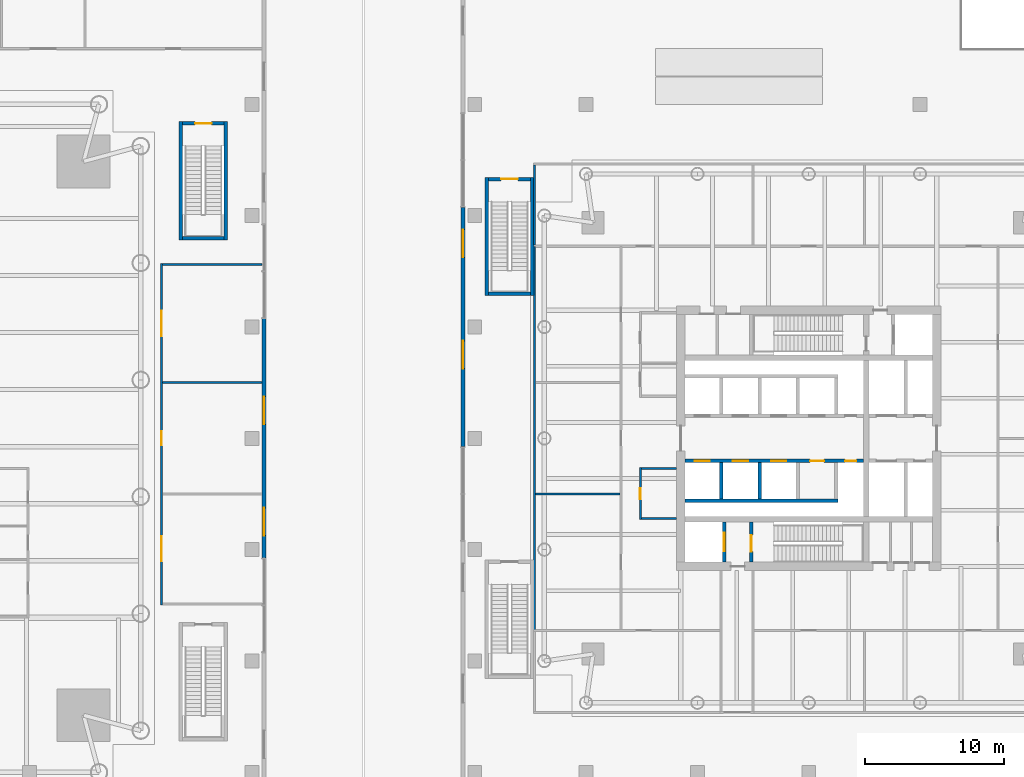
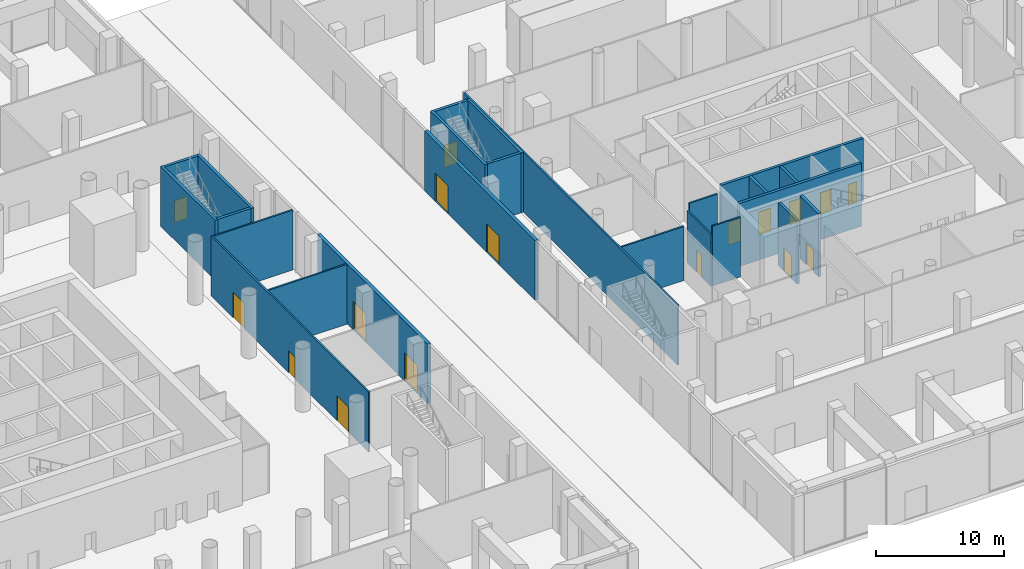
# One storey, part 29 of 39: 25 walls, 17 doors, 17 openings.
"""IFC4 building model written with IfcOpenShell, lengths in metres."""

from ifc_helpers import new_model, si_unit, direction, frame, frame_2d, origin, place, context, subcontext, project, spatial, rectangle, extrude, material, layer, layer_set, type_object, element, fill, save


model = new_model("IFC4")

# Units and contexts
model_context = context("Model", 3, precision=1e-05, world=origin(), true_north=direction((0.0, 1.0)))
body_context = subcontext(model_context, "Body", "Model", "MODEL_VIEW")
ifc_project = project(units=[si_unit("LENGTHUNIT", "METRE"), si_unit("AREAUNIT", "SQUARE_METRE"), si_unit("VOLUMEUNIT", "CUBIC_METRE"), si_unit("PLANEANGLEUNIT", "RADIAN"), si_unit("MASSUNIT", "GRAM", prefix="KILO")], contexts=[model_context])

# Site, building, storey
site_placement = place(None, origin())
site = spatial("IfcSite", under=ifc_project, at=site_placement, CompositionType="ELEMENT")
building_placement = place(site_placement, origin())
building = spatial("IfcBuilding", under=site, at=building_placement, Name="Ostroluk Exchange", CompositionType="ELEMENT")
storey_placement = place(building_placement, origin())
storey = spatial("IfcBuildingStorey", under=building, at=storey_placement, Name="L00", CompositionType="ELEMENT", Elevation=0.0)

# Walls
ifc_material_1 = material(Name="Concrete blockwork", Category="masonry")
ifc_layer_1 = layer(ifc_material_1, 0.25)
ifc_layer_set_1 = layer_set([ifc_layer_1], Name="Blockwork stair enclosure wall 250")
wall_type_1 = type_object("IfcWallType", Name="Blockwork stair enclosure wall 250", PredefinedType="SOLIDWALL", material=ifc_layer_set_1)
for number, where, z_axis, x_axis, name in (
    (1, (71.875, 60.25, 0.0), (0.0, 0.0, 1.0), (0.0, 1.0, 0.0), "Stair PS4 enclosure wall"),
    (2, (75.125, 60.25, 0.0), (0.0, 0.0, 1.0), (0.0, 1.0, 0.0), "Stair PS4 enclosure wall"),
):
    element("IfcWall", number, at=place(storey_placement, frame(where, z_axis=z_axis, x_axis=x_axis)), inside=storey, type_object=wall_type_1, Name=name, PredefinedType="SOLIDWALL", context=body_context, shape_type="SweptSolid", body=[
        extrude(rectangle(XDim=8.5, YDim=0.25, at=frame_2d((4.25, 0.0))), origin(), (0.0, 0.0, 1.0), 5.699951171875),
    ])
wall_1_placement = place(storey_placement, frame((72.0, 60.375, 0.0), z_axis=(0.0, 0.0, 1.0), x_axis=(1.0, 0.0, 0.0)))
element("IfcWall", 3, at=wall_1_placement, inside=storey, type_object=wall_type_1, Name="Stair PS4 enclosure wall", PredefinedType="SOLIDWALL", context=body_context, shape_type="SweptSolid", body=[
    extrude(rectangle(XDim=3.0, YDim=0.25, at=frame_2d((1.5, 0.0))), origin(), (0.0, 0.0, 1.0), 5.699951171875),
])

# Wall, opening, door
wall_2_placement = place(storey_placement, frame((72.0, 68.625, 0.0), z_axis=(0.0, 0.0, 1.0), x_axis=(1.0, 0.0, 0.0)))
wall_2 = element("IfcWall", 4, at=wall_2_placement, inside=storey, type_object=wall_type_1, Name="Stair PS4 enclosure wall", PredefinedType="SOLIDWALL", context=body_context, shape_type="SweptSolid", body=[
    extrude(rectangle(XDim=3.0, YDim=0.25, at=frame_2d((1.5, 0.0))), origin(), (0.0, 0.0, 1.0), 5.699951171875),
])
opening_1_placement = place(wall_2_placement, frame((0.89990234375, 0.0, 0.0)))
opening_1 = element("IfcOpeningElement", 5, at=opening_1_placement, cuts=wall_2, Name="Opening FD60S", PredefinedType="OPENING", context=body_context, shape_type="SweptSolid", body=[
    extrude(rectangle(XDim=1.199951171875, YDim=2.10009765625, at=frame_2d((0.60009765625, 1.050048828125))), frame((0.0, 0.135009765625, 0.0), z_axis=(0.0, -1.0, 0.0), x_axis=(1.0, 0.0, 0.0)), (0.0, 0.0, 1.0), 0.27001953125),
])
ifc_material_2 = material(Name="Steel", Category="steel")
door_type_1 = type_object("IfcDoorType", Name="Stair door EI 60 1200 x 2100", OperationType="SINGLE_SWING_LEFT", PredefinedType="DOOR", material=ifc_material_2)
door_1_placement = place(opening_1_placement, origin())
door_1 = element("IfcDoor", 6, at=door_1_placement, inside=storey, type_object=door_type_1, Name="Stair PS4 door", OperationType="SINGLE_SWING_LEFT", OverallHeight=2.10009765625, OverallWidth=1.199951171875, PredefinedType="DOOR", context=body_context, shape_type="SweptSolid", body=[
    extrude(rectangle(XDim=1.199951171875, YDim=2.10009765625, at=frame_2d((0.60009765625, 1.050048828125))), frame((0.0, 0.02490234375, 0.0), z_axis=(0.0, -1.0, 0.0), x_axis=(1.0, 0.0, 0.0)), (0.0, 0.0, 1.0), 0.050048828125),
])
fill(opening_1, door_1)

# Walls
for number, where, z_axis, x_axis, name in (
    (7, (93.875, 56.25, 0.0), (0.0, 0.0, 1.0), (0.0, 1.0, 0.0), "Stair PS6 enclosure wall"),
    (8, (97.125, 56.25, 0.0), (0.0, 0.0, 1.0), (0.0, 1.0, 0.0), "Stair PS6 enclosure wall"),
):
    element("IfcWall", number, at=place(storey_placement, frame(where, z_axis=z_axis, x_axis=x_axis)), inside=storey, type_object=wall_type_1, Name=name, PredefinedType="SOLIDWALL", context=body_context, shape_type="SweptSolid", body=[
        extrude(rectangle(XDim=8.5, YDim=0.25, at=frame_2d((4.25, 0.0))), origin(), (0.0, 0.0, 1.0), 5.699951171875),
    ])
wall_3_placement = place(storey_placement, frame((94.0, 56.375, 0.0), z_axis=(0.0, 0.0, 1.0), x_axis=(1.0, 0.0, 0.0)))
element("IfcWall", 9, at=wall_3_placement, inside=storey, type_object=wall_type_1, Name="Stair PS6 enclosure wall", PredefinedType="SOLIDWALL", context=body_context, shape_type="SweptSolid", body=[
    extrude(rectangle(XDim=3.0, YDim=0.25, at=frame_2d((1.5, 0.0))), origin(), (0.0, 0.0, 1.0), 5.699951171875),
])

# Wall, opening, door
wall_4_placement = place(storey_placement, frame((94.0, 64.625, 0.0), z_axis=(0.0, 0.0, 1.0), x_axis=(1.0, 0.0, 0.0)))
wall_4 = element("IfcWall", 10, at=wall_4_placement, inside=storey, type_object=wall_type_1, Name="Stair PS6 enclosure wall", PredefinedType="SOLIDWALL", context=body_context, shape_type="SweptSolid", body=[
    extrude(rectangle(XDim=3.0, YDim=0.25, at=frame_2d((1.5, 0.0))), origin(), (0.0, 0.0, 1.0), 5.699951171875),
])
opening_2_placement = place(wall_4_placement, frame((0.89990234375, 0.0, 0.0)))
opening_2 = element("IfcOpeningElement", 11, at=opening_2_placement, cuts=wall_4, Name="Opening FD60S", PredefinedType="OPENING", context=body_context, shape_type="SweptSolid", body=[
    extrude(rectangle(XDim=1.199951171875, YDim=2.10009765625, at=frame_2d((0.60009765625, 1.050048828125))), frame((0.0, 0.135009765625, 0.0), z_axis=(0.0, -1.0, 0.0), x_axis=(1.0, 0.0, 0.0)), (0.0, 0.0, 1.0), 0.27001953125),
])
door_2_placement = place(opening_2_placement, origin())
door_2 = element("IfcDoor", 12, at=door_2_placement, inside=storey, type_object=door_type_1, Name="Stair PS6 door", OperationType="SINGLE_SWING_LEFT", OverallHeight=2.10009765625, OverallWidth=1.199951171875, PredefinedType="DOOR", context=body_context, shape_type="SweptSolid", body=[
    extrude(rectangle(XDim=1.199951171875, YDim=2.10009765625, at=frame_2d((0.60009765625, 1.050048828125))), frame((0.0, 0.02490234375, 0.0), z_axis=(0.0, -1.0, 0.0), x_axis=(1.0, 0.0, 0.0)), (0.0, 0.0, 1.0), 0.050048828125),
])
fill(opening_2, door_2)

ifc_material_3 = material(Name="Concrete C40/50", Category="concrete")
ifc_layer_2 = layer(ifc_material_3, 0.25)
ifc_layer_set_2 = layer_set([ifc_layer_2], Name="Core shaft wall 250")
wall_type_2 = type_object("IfcWallType", Name="Core shaft wall 250", PredefinedType="SHEAR", material=ifc_layer_set_2)
wall_5_placement = place(storey_placement, frame((110.925048828125, 37.10009765625, 0.0), z_axis=(0.0, 0.0, 1.0), x_axis=(0.0, 1.0, 0.0)))
wall_5 = element("IfcWall", 13, at=wall_5_placement, inside=storey, type_object=wall_type_2, Name="Firefighting lift shaft wall", PredefinedType="SHEAR", context=body_context, shape_type="SweptSolid", body=[
    extrude(rectangle(XDim=2.89990234375, YDim=0.25, at=frame_2d((1.449951171875, 0.0))), origin(), (0.0, 0.0, 1.0), 6.0),
])
opening_3_placement = place(wall_5_placement, frame((0.800048828125, 0.0, 0.0)))
opening_3 = element("IfcOpeningElement", 14, at=opening_3_placement, cuts=wall_5, Name="Opening LD2", PredefinedType="OPENING", context=body_context, shape_type="SweptSolid", body=[
    extrude(rectangle(XDim=1.300048828125, YDim=2.199951171875, at=frame_2d((0.64990234375, 1.10009765625))), frame((0.0, 0.135009765625, 0.0), z_axis=(0.0, -1.0, 0.0), x_axis=(1.0, 0.0, 0.0)), (0.0, 0.0, 1.0), 0.27001953125),
])
ifc_material_4 = material(Name="Stainless steel", Category="steel")
door_type_2 = type_object("IfcDoorType", Name="Lift landing door E 60 1300 x 2200", OperationType="DOUBLE_DOOR_SLIDING", PredefinedType="DOOR", material=ifc_material_4)
door_3_placement = place(opening_3_placement, origin())
door_3 = element("IfcDoor", 15, at=door_3_placement, inside=storey, type_object=door_type_2, Name="Lift HF1 landing door", OperationType="DOUBLE_DOOR_SLIDING", OverallHeight=2.199951171875, OverallWidth=1.300048828125, PredefinedType="DOOR", context=body_context, shape_type="SweptSolid", body=[
    extrude(rectangle(XDim=1.300048828125, YDim=2.199951171875, at=frame_2d((0.64990234375, 1.10009765625))), frame((0.0, 0.02490234375, 0.0), z_axis=(0.0, -1.0, 0.0), x_axis=(1.0, 0.0, 0.0)), (0.0, 0.0, 1.0), 0.050048828125),
])
fill(opening_3, door_3)

wall_6_placement = place(storey_placement, frame((112.875, 37.10009765625, 0.0), z_axis=(0.0, 0.0, 1.0), x_axis=(0.0, 1.0, 0.0)))
wall_6 = element("IfcWall", 16, at=wall_6_placement, inside=storey, type_object=wall_type_2, Name="Stair shaft wall", PredefinedType="SHEAR", context=body_context, shape_type="SweptSolid", body=[
    extrude(rectangle(XDim=2.89990234375, YDim=0.25, at=frame_2d((1.449951171875, 0.0))), origin(), (0.0, 0.0, 1.0), 6.0),
])
opening_4_placement = place(wall_6_placement, frame((0.75, 0.0, 0.0)))
opening_4 = element("IfcOpeningElement", 17, at=opening_4_placement, cuts=wall_6, Name="Opening FD60S", PredefinedType="OPENING", context=body_context, shape_type="SweptSolid", body=[
    extrude(rectangle(XDim=1.199951171875, YDim=2.10009765625, at=frame_2d((0.60009765625, 1.050048828125))), frame((0.0, 0.135009765625, 0.0), z_axis=(0.0, -1.0, 0.0), x_axis=(1.0, 0.0, 0.0)), (0.0, 0.0, 1.0), 0.27001953125),
])
door_4_placement = place(opening_4_placement, origin())
door_4 = element("IfcDoor", 18, at=door_4_placement, inside=storey, type_object=door_type_1, Name="Stair T2-S1 door", OperationType="SINGLE_SWING_LEFT", OverallHeight=2.10009765625, OverallWidth=1.199951171875, PredefinedType="DOOR", context=body_context, shape_type="SweptSolid", body=[
    extrude(rectangle(XDim=1.199951171875, YDim=2.10009765625, at=frame_2d((0.60009765625, 1.050048828125))), frame((0.0, 0.02490234375, 0.0), z_axis=(0.0, -1.0, 0.0), x_axis=(1.0, 0.0, 0.0)), (0.0, 0.0, 1.0), 0.050048828125),
])
fill(opening_4, door_4)

# Walls
for number, where, z_axis, x_axis, name in (
    (19, (110.72509765625, 44.25, 0.0), (0.0, 0.0, 1.0), (0.0, -1.0, 0.0), "Lift shaft wall"),
    (20, (113.47509765625, 44.25, 0.0), (0.0, 0.0, 1.0), (0.0, -1.0, 0.0), "Lift shaft wall"),
):
    element("IfcWall", number, at=place(storey_placement, frame(where, z_axis=z_axis, x_axis=x_axis)), inside=storey, type_object=wall_type_2, Name=name, PredefinedType="SHEAR", context=body_context, shape_type="SweptSolid", body=[
        extrude(rectangle(XDim=2.60009765625, YDim=0.25, at=frame_2d((1.300048828125, 0.0))), origin(), (0.0, 0.0, 1.0), 6.0),
    ])
wall_7_placement = place(storey_placement, frame((108.10009765625, 41.52490234375, 0.0), z_axis=(0.0, 0.0, 1.0), x_axis=(1.0, 0.0, 0.0)))
element("IfcWall", 21, at=wall_7_placement, inside=storey, type_object=wall_type_2, Name="Lift shaft wall", PredefinedType="SHEAR", context=body_context, shape_type="SweptSolid", body=[
    extrude(rectangle(XDim=11.0, YDim=0.25, at=frame_2d((5.5, 0.0))), origin(), (0.0, 0.0, 1.0), 6.0),
])

# Wall, openings, doors
wall_8_placement = place(storey_placement, frame((108.10009765625, 44.375, 0.0), z_axis=(0.0, 0.0, 1.0), x_axis=(1.0, 0.0, 0.0)))
wall_8 = element("IfcWall", 22, at=wall_8_placement, inside=storey, type_object=wall_type_2, Name="Lift shaft front wall", PredefinedType="SHEAR", context=body_context, shape_type="SweptSolid", body=[
    extrude(rectangle(XDim=12.829833984375, YDim=0.25, at=frame_2d((6.4150390625, 0.0))), origin(), (0.0, 0.0, 1.0), 6.0),
])
opening_5_placement = place(wall_8_placement, frame((0.699951171875, 0.0, 0.0)))
opening_5 = element("IfcOpeningElement", 23, at=opening_5_placement, cuts=wall_8, Name="Opening LD", PredefinedType="OPENING", context=body_context, shape_type="SweptSolid", body=[
    extrude(rectangle(XDim=1.10009765625, YDim=2.199951171875, at=frame_2d((0.550048828125, 1.10009765625))), frame((0.0, 0.135009765625, 0.0), z_axis=(0.0, -1.0, 0.0), x_axis=(1.0, 0.0, 0.0)), (0.0, 0.0, 1.0), 0.27001953125),
])
opening_6_placement = place(wall_8_placement, frame((3.449951171875, 0.0, 0.0)))
opening_6 = element("IfcOpeningElement", 24, at=opening_6_placement, cuts=wall_8, Name="Opening LD", PredefinedType="OPENING", context=body_context, shape_type="SweptSolid", body=[
    extrude(rectangle(XDim=1.10009765625, YDim=2.199951171875, at=frame_2d((0.550048828125, 1.10009765625))), frame((0.0, 0.135009765625, 0.0), z_axis=(0.0, -1.0, 0.0), x_axis=(1.0, 0.0, 0.0)), (0.0, 0.0, 1.0), 0.27001953125),
])
opening_7_placement = place(wall_8_placement, frame((6.199951171875, 0.0, 0.0)))
opening_7 = element("IfcOpeningElement", 25, at=opening_7_placement, cuts=wall_8, Name="Opening LD", PredefinedType="OPENING", context=body_context, shape_type="SweptSolid", body=[
    extrude(rectangle(XDim=1.10009765625, YDim=2.199951171875, at=frame_2d((0.550048828125, 1.10009765625))), frame((0.0, 0.135009765625, 0.0), z_axis=(0.0, -1.0, 0.0), x_axis=(1.0, 0.0, 0.0)), (0.0, 0.0, 1.0), 0.27001953125),
])
opening_8_placement = place(wall_8_placement, frame((9.0, 0.0, 0.0)))
opening_8 = element("IfcOpeningElement", 26, at=opening_8_placement, cuts=wall_8, Name="Opening FD60", PredefinedType="OPENING", context=body_context, shape_type="SweptSolid", body=[
    extrude(rectangle(XDim=1.0, YDim=2.10009765625, at=frame_2d((0.5, 1.050048828125))), frame((0.0, 0.135009765625, 0.0), z_axis=(0.0, -1.0, 0.0), x_axis=(1.0, 0.0, 0.0)), (0.0, 0.0, 1.0), 0.27001953125),
])
opening_9_placement = place(wall_8_placement, frame((11.514892578125, 0.0, 0.0)))
opening_9 = element("IfcOpeningElement", 27, at=opening_9_placement, cuts=wall_8, Name="Opening RD60", PredefinedType="OPENING", context=body_context, shape_type="SweptSolid", body=[
    extrude(rectangle(XDim=0.800048828125, YDim=2.0, at=frame_2d((0.39990234375, 1.0))), frame((0.0, 0.135009765625, 0.0), z_axis=(0.0, -1.0, 0.0), x_axis=(1.0, 0.0, 0.0)), (0.0, 0.0, 1.0), 0.27001953125),
])
ifc_material_5 = material(Name="Steel", Category="steel")
door_type_3 = type_object("IfcDoorType", Name="Fire door EI 60 1000 x 2100", OperationType="SINGLE_SWING_LEFT", PredefinedType="DOOR", material=ifc_material_5)
door_5_placement = place(opening_8_placement, origin())
door_5 = element("IfcDoor", 28, at=door_5_placement, inside=storey, type_object=door_type_3, Name="Core room door", OperationType="SINGLE_SWING_RIGHT", OverallHeight=2.10009765625, OverallWidth=1.0, PredefinedType="DOOR", context=body_context, shape_type="SweptSolid", body=[
    extrude(rectangle(XDim=1.0, YDim=2.10009765625, at=frame_2d((0.5, 1.050048828125))), frame((0.0, 0.02490234375, 0.0), z_axis=(0.0, -1.0, 0.0), x_axis=(1.0, 0.0, 0.0)), (0.0, 0.0, 1.0), 0.050048828125),
])
fill(opening_8, door_5)
ifc_material_6 = material(Name="Stainless steel", Category="steel")
door_type_4 = type_object("IfcDoorType", Name="Lift landing door E 60 1100 x 2200", OperationType="DOUBLE_DOOR_SLIDING", PredefinedType="DOOR", material=ifc_material_6)
door_6_placement = place(opening_5_placement, origin())
door_6 = element("IfcDoor", 29, at=door_6_placement, inside=storey, type_object=door_type_4, Name="Lift HL5 landing door", OperationType="DOUBLE_DOOR_SLIDING", OverallHeight=2.199951171875, OverallWidth=1.10009765625, PredefinedType="DOOR", context=body_context, shape_type="SweptSolid", body=[
    extrude(rectangle(XDim=1.10009765625, YDim=2.199951171875, at=frame_2d((0.550048828125, 1.10009765625))), frame((0.0, 0.02490234375, 0.0), z_axis=(0.0, -1.0, 0.0), x_axis=(1.0, 0.0, 0.0)), (0.0, 0.0, 1.0), 0.050048828125),
])
fill(opening_5, door_6)
door_7_placement = place(opening_6_placement, origin())
door_7 = element("IfcDoor", 30, at=door_7_placement, inside=storey, type_object=door_type_4, Name="Lift HL6 landing door", OperationType="DOUBLE_DOOR_SLIDING", OverallHeight=2.199951171875, OverallWidth=1.10009765625, PredefinedType="DOOR", context=body_context, shape_type="SweptSolid", body=[
    extrude(rectangle(XDim=1.10009765625, YDim=2.199951171875, at=frame_2d((0.550048828125, 1.10009765625))), frame((0.0, 0.02490234375, 0.0), z_axis=(0.0, -1.0, 0.0), x_axis=(1.0, 0.0, 0.0)), (0.0, 0.0, 1.0), 0.050048828125),
])
fill(opening_6, door_7)
door_8_placement = place(opening_7_placement, origin())
door_8 = element("IfcDoor", 31, at=door_8_placement, inside=storey, type_object=door_type_4, Name="Lift HL7 landing door", OperationType="DOUBLE_DOOR_SLIDING", OverallHeight=2.199951171875, OverallWidth=1.10009765625, PredefinedType="DOOR", context=body_context, shape_type="SweptSolid", body=[
    extrude(rectangle(XDim=1.10009765625, YDim=2.199951171875, at=frame_2d((0.550048828125, 1.10009765625))), frame((0.0, 0.02490234375, 0.0), z_axis=(0.0, -1.0, 0.0), x_axis=(1.0, 0.0, 0.0)), (0.0, 0.0, 1.0), 0.050048828125),
])
fill(opening_7, door_8)
ifc_material_7 = material(Name="Steel", Category="steel")
door_type_5 = type_object("IfcDoorType", Name="Riser access door EI 60 800 x 2000", OperationType="SINGLE_SWING_LEFT", PredefinedType="DOOR", material=ifc_material_7)
door_9_placement = place(opening_9_placement, origin())
door_9 = element("IfcDoor", 32, at=door_9_placement, inside=storey, type_object=door_type_5, Name="Riser access door", OperationType="SINGLE_SWING_RIGHT", OverallHeight=2.0, OverallWidth=0.800048828125, PredefinedType="DOOR", context=body_context, shape_type="SweptSolid", body=[
    extrude(rectangle(XDim=0.800048828125, YDim=2.0, at=frame_2d((0.39990234375, 1.0))), frame((0.0, 0.02490234375, 0.0), z_axis=(0.0, -1.0, 0.0), x_axis=(1.0, 0.0, 0.0)), (0.0, 0.0, 1.0), 0.050048828125),
])
fill(opening_9, door_9)

ifc_material_8 = material(Name="Limestone", Category="masonry")
ifc_layer_3 = layer(ifc_material_8, 0.300048828125)
ifc_layer_set_3 = layer_set([ifc_layer_3], Name="Limestone facade wall 300")
wall_type_3 = type_object("IfcWallType", Name="Limestone facade wall 300", PredefinedType="SOLIDWALL", material=ifc_layer_set_3)
wall_9_placement = place(storey_placement, frame((77.85009765625, 37.39990234375, 0.0), z_axis=(0.0, 0.0, 1.0), x_axis=(0.0, 1.0, 0.0)))
wall_9 = element("IfcWall", 33, at=wall_9_placement, inside=storey, type_object=wall_type_3, Name="Podium west E wall L00 3a", PredefinedType="SOLIDWALL", context=body_context, shape_type="SweptSolid", body=[
    extrude(rectangle(XDim=17.2001953125, YDim=0.300048828125, at=frame_2d((8.60009765625, 0.0))), origin(), (0.0, 0.0, 1.0), 5.699951171875),
])
opening_10_placement = place(wall_9_placement, frame((1.60009765625, 0.0, 0.0)))
opening_10 = element("IfcOpeningElement", 34, at=opening_10_placement, cuts=wall_9, Name="Opening D-E1", PredefinedType="OPENING", context=body_context, shape_type="SweptSolid", body=[
    extrude(rectangle(XDim=2.0, YDim=2.699951171875, at=frame_2d((1.0, 1.35009765625))), frame((0.0, 0.159912109375, 0.0), z_axis=(0.0, -1.0, 0.0), x_axis=(1.0, 0.0, 0.0)), (0.0, 0.0, 1.0), 0.320068359375),
])
opening_11_placement = place(wall_9_placement, frame((9.60009765625, 0.0, 0.0)))
opening_11 = element("IfcOpeningElement", 35, at=opening_11_placement, cuts=wall_9, Name="Opening D-E1", PredefinedType="OPENING", context=body_context, shape_type="SweptSolid", body=[
    extrude(rectangle(XDim=2.0, YDim=2.699951171875, at=frame_2d((1.0, 1.35009765625))), frame((0.0, 0.159912109375, 0.0), z_axis=(0.0, -1.0, 0.0), x_axis=(1.0, 0.0, 0.0)), (0.0, 0.0, 1.0), 0.320068359375),
])
ifc_material_9 = material(Name="Bronze framed glazed door", Category="aluminium")
door_type_6 = type_object("IfcDoorType", Name="Entrance double door 2000 x 2700", OperationType="DOUBLE_DOOR_SINGLE_SWING", PredefinedType="DOOR", material=ifc_material_9)
door_10_placement = place(opening_10_placement, origin())
door_10 = element("IfcDoor", 36, at=door_10_placement, inside=storey, type_object=door_type_6, Name="Podium west entrance E 5", OperationType="DOUBLE_DOOR_SINGLE_SWING", OverallHeight=2.699951171875, OverallWidth=2.0, PredefinedType="DOOR", context=body_context, shape_type="SweptSolid", body=[
    extrude(rectangle(XDim=2.0, YDim=2.699951171875, at=frame_2d((1.0, 1.35009765625))), frame((0.0, 0.02490234375, 0.0), z_axis=(0.0, -1.0, 0.0), x_axis=(1.0, 0.0, 0.0)), (0.0, 0.0, 1.0), 0.050048828125),
])
fill(opening_10, door_10)
door_11_placement = place(opening_11_placement, origin())
door_11 = element("IfcDoor", 37, at=door_11_placement, inside=storey, type_object=door_type_6, Name="Podium west entrance E 6", OperationType="DOUBLE_DOOR_SINGLE_SWING", OverallHeight=2.699951171875, OverallWidth=2.0, PredefinedType="DOOR", context=body_context, shape_type="SweptSolid", body=[
    extrude(rectangle(XDim=2.0, YDim=2.699951171875, at=frame_2d((1.0, 1.35009765625))), frame((0.0, 0.02490234375, 0.0), z_axis=(0.0, -1.0, 0.0), x_axis=(1.0, 0.0, 0.0)), (0.0, 0.0, 1.0), 0.050048828125),
])
fill(opening_11, door_11)

wall_10_placement = place(storey_placement, frame((92.14990234375, 62.60009765625, 0.0), z_axis=(0.0, 0.0, 1.0), x_axis=(0.0, -1.0, 0.0)))
wall_10 = element("IfcWall", 38, at=wall_10_placement, inside=storey, type_object=wall_type_3, Name="Podium east W wall L00 3a", PredefinedType="SOLIDWALL", context=body_context, shape_type="SweptSolid", body=[
    extrude(rectangle(XDim=17.2001953125, YDim=0.300048828125, at=frame_2d((8.60009765625, 0.0))), origin(), (0.0, 0.0, 1.0), 5.699951171875),
])
opening_12_placement = place(wall_10_placement, frame((1.60009765625, 0.0, 0.0)))
opening_12 = element("IfcOpeningElement", 39, at=opening_12_placement, cuts=wall_10, Name="Opening D-E1", PredefinedType="OPENING", context=body_context, shape_type="SweptSolid", body=[
    extrude(rectangle(XDim=2.0, YDim=2.699951171875, at=frame_2d((1.0, 1.35009765625))), frame((0.0, 0.159912109375, 0.0), z_axis=(0.0, -1.0, 0.0), x_axis=(1.0, 0.0, 0.0)), (0.0, 0.0, 1.0), 0.320068359375),
])
opening_13_placement = place(wall_10_placement, frame((9.60009765625, 0.0, 0.0)))
opening_13 = element("IfcOpeningElement", 40, at=opening_13_placement, cuts=wall_10, Name="Opening D-E1", PredefinedType="OPENING", context=body_context, shape_type="SweptSolid", body=[
    extrude(rectangle(XDim=2.0, YDim=2.699951171875, at=frame_2d((1.0, 1.35009765625))), frame((0.0, 0.159912109375, 0.0), z_axis=(0.0, -1.0, 0.0), x_axis=(1.0, 0.0, 0.0)), (0.0, 0.0, 1.0), 0.320068359375),
])
door_12_placement = place(opening_12_placement, origin())
door_12 = element("IfcDoor", 41, at=door_12_placement, inside=storey, type_object=door_type_6, Name="Podium east entrance W 5", OperationType="DOUBLE_DOOR_SINGLE_SWING", OverallHeight=2.699951171875, OverallWidth=2.0, PredefinedType="DOOR", context=body_context, shape_type="SweptSolid", body=[
    extrude(rectangle(XDim=2.0, YDim=2.699951171875, at=frame_2d((1.0, 1.35009765625))), frame((0.0, 0.02490234375, 0.0), z_axis=(0.0, -1.0, 0.0), x_axis=(1.0, 0.0, 0.0)), (0.0, 0.0, 1.0), 0.050048828125),
])
fill(opening_12, door_12)
door_13_placement = place(opening_13_placement, origin())
door_13 = element("IfcDoor", 42, at=door_13_placement, inside=storey, type_object=door_type_6, Name="Podium east entrance W 6", OperationType="DOUBLE_DOOR_SINGLE_SWING", OverallHeight=2.699951171875, OverallWidth=2.0, PredefinedType="DOOR", context=body_context, shape_type="SweptSolid", body=[
    extrude(rectangle(XDim=2.0, YDim=2.699951171875, at=frame_2d((1.0, 1.35009765625))), frame((0.0, 0.02490234375, 0.0), z_axis=(0.0, -1.0, 0.0), x_axis=(1.0, 0.0, 0.0)), (0.0, 0.0, 1.0), 0.050048828125),
])
fill(opening_13, door_13)

ifc_material_10 = material(Name="Gypsum plasterboard partition", Category="gypsum")
ifc_layer_4 = layer(ifc_material_10, 0.14990234375)
ifc_layer_set_4 = layer_set([ifc_layer_4], Name="Plasterboard partition 150")
wall_type_4 = type_object("IfcWallType", Name="Plasterboard partition 150", PredefinedType="PARTITIONING", material=ifc_layer_set_4)
wall_11_placement = place(storey_placement, frame((70.5, 34.02490234375, 0.0), z_axis=(0.0, 0.0, 1.0), x_axis=(0.0, 1.0, 0.0)))
wall_11 = element("IfcWall", 43, at=wall_11_placement, inside=storey, type_object=wall_type_4, Name="Partition", PredefinedType="PARTITIONING", context=body_context, shape_type="SweptSolid", body=[
    extrude(rectangle(XDim=24.550048828125, YDim=0.14990234375, at=frame_2d((12.27490234375, 0.0))), origin(), (0.0, 0.0, 1.0), 5.699951171875),
])
opening_14_placement = place(wall_11_placement, frame((3.125, 0.0, 0.0)))
opening_14 = element("IfcOpeningElement", 44, at=opening_14_placement, cuts=wall_11, Name="Opening D-04", PredefinedType="OPENING", context=body_context, shape_type="SweptSolid", body=[
    extrude(rectangle(XDim=1.800048828125, YDim=2.39990234375, at=frame_2d((0.89990234375, 1.199951171875))), frame((0.0, 0.0849609375, 0.0), z_axis=(0.0, -1.0, 0.0), x_axis=(1.0, 0.0, 0.0)), (0.0, 0.0, 1.0), 0.169921875),
])
opening_15_placement = place(wall_11_placement, frame((11.47509765625, 0.0, 0.0)))
opening_15 = element("IfcOpeningElement", 45, at=opening_15_placement, cuts=wall_11, Name="Opening D-03", PredefinedType="OPENING", context=body_context, shape_type="SweptSolid", body=[
    extrude(rectangle(XDim=1.0, YDim=2.10009765625, at=frame_2d((0.5, 1.050048828125))), frame((0.0, 0.0849609375, 0.0), z_axis=(0.0, -1.0, 0.0), x_axis=(1.0, 0.0, 0.0)), (0.0, 0.0, 1.0), 0.169921875),
])
opening_16_placement = place(wall_11_placement, frame((19.324951171875, 0.0, 0.0)))
opening_16 = element("IfcOpeningElement", 46, at=opening_16_placement, cuts=wall_11, Name="Opening D-04", PredefinedType="OPENING", context=body_context, shape_type="SweptSolid", body=[
    extrude(rectangle(XDim=1.800048828125, YDim=2.39990234375, at=frame_2d((0.89990234375, 1.199951171875))), frame((0.0, 0.0849609375, 0.0), z_axis=(0.0, -1.0, 0.0), x_axis=(1.0, 0.0, 0.0)), (0.0, 0.0, 1.0), 0.169921875),
])
ifc_material_11 = material(Name="Timber", Category="wood")
door_type_7 = type_object("IfcDoorType", Name="Double door 1800 x 2400", OperationType="DOUBLE_DOOR_SINGLE_SWING", PredefinedType="DOOR", material=ifc_material_11)
door_14_placement = place(opening_14_placement, origin())
door_14 = element("IfcDoor", 47, at=door_14_placement, inside=storey, type_object=door_type_7, Name="Retail unit door", OperationType="DOUBLE_DOOR_SINGLE_SWING", OverallHeight=2.39990234375, OverallWidth=1.800048828125, PredefinedType="DOOR", context=body_context, shape_type="SweptSolid", body=[
    extrude(rectangle(XDim=1.800048828125, YDim=2.39990234375, at=frame_2d((0.89990234375, 1.199951171875))), frame((0.0, 0.02490234375, 0.0), z_axis=(0.0, -1.0, 0.0), x_axis=(1.0, 0.0, 0.0)), (0.0, 0.0, 1.0), 0.050048828125),
])
fill(opening_14, door_14)
door_15_placement = place(opening_16_placement, origin())
door_15 = element("IfcDoor", 48, at=door_15_placement, inside=storey, type_object=door_type_7, Name="Retail unit door", OperationType="DOUBLE_DOOR_SINGLE_SWING", OverallHeight=2.39990234375, OverallWidth=1.800048828125, PredefinedType="DOOR", context=body_context, shape_type="SweptSolid", body=[
    extrude(rectangle(XDim=1.800048828125, YDim=2.39990234375, at=frame_2d((0.89990234375, 1.199951171875))), frame((0.0, 0.02490234375, 0.0), z_axis=(0.0, -1.0, 0.0), x_axis=(1.0, 0.0, 0.0)), (0.0, 0.0, 1.0), 0.050048828125),
])
fill(opening_16, door_15)
ifc_material_12 = material(Name="Timber", Category="wood")
door_type_8 = type_object("IfcDoorType", Name="Internal door 1000 x 2100", OperationType="SINGLE_SWING_LEFT", PredefinedType="DOOR", material=ifc_material_12)
door_16_placement = place(opening_15_placement, origin())
door_16 = element("IfcDoor", 49, at=door_16_placement, inside=storey, type_object=door_type_8, Name="Store door", OperationType="SINGLE_SWING_LEFT", OverallHeight=2.10009765625, OverallWidth=1.0, PredefinedType="DOOR", context=body_context, shape_type="SweptSolid", body=[
    extrude(rectangle(XDim=1.0, YDim=2.10009765625, at=frame_2d((0.5, 1.050048828125))), frame((0.0, 0.02490234375, 0.0), z_axis=(0.0, -1.0, 0.0), x_axis=(1.0, 0.0, 0.0)), (0.0, 0.0, 1.0), 0.050048828125),
])
fill(opening_15, door_16)

# Walls
for number, where, z_axis, x_axis, name in (
    (50, (70.574951171875, 58.5, 0.0), (0.0, 0.0, 1.0), (1.0, 0.0, 0.0), "Partition"),
    (51, (70.574951171875, 50.0, 0.0), (0.0, 0.0, 1.0), (1.0, 0.0, 0.0), "Partition"),
):
    element("IfcWall", number, at=place(storey_placement, frame(where, z_axis=z_axis, x_axis=x_axis)), inside=storey, type_object=wall_type_4, Name=name, PredefinedType="PARTITIONING", context=body_context, shape_type="SweptSolid", body=[
        extrude(rectangle(XDim=7.125, YDim=0.14990234375, at=frame_2d((3.5625, 0.0))), origin(), (0.0, 0.0, 1.0), 5.699951171875),
    ])
wall_12_placement = place(storey_placement, frame((97.300048828125, 59.875, 0.0), z_axis=(0.0, 0.0, 1.0), x_axis=(0.0, 1.0, 0.0)))
element("IfcWall", 52, at=wall_12_placement, inside=storey, type_object=wall_type_4, Name="Partition", PredefinedType="PARTITIONING", context=body_context, shape_type="SweptSolid", body=[
    extrude(rectangle(XDim=5.75, YDim=0.14990234375, at=frame_2d((2.875, 0.0))), origin(), (0.0, 0.0, 1.0), 5.699951171875),
])
wall_13_placement = place(storey_placement, frame((97.300048828125, 32.199951171875, 0.0), z_axis=(0.0, 0.0, 1.0), x_axis=(0.0, 1.0, 0.0)))
element("IfcWall", 53, at=wall_13_placement, inside=storey, type_object=wall_type_4, Name="Partition", PredefinedType="PARTITIONING", context=body_context, shape_type="SweptSolid", body=[
    extrude(rectangle(XDim=27.60009765625, YDim=0.14990234375, at=frame_2d((13.800048828125, 0.0))), origin(), (0.0, 0.0, 1.0), 5.699951171875),
])
wall_14_placement = place(storey_placement, frame((97.375, 42.0, 0.0), z_axis=(0.0, 0.0, 1.0), x_axis=(1.0, 0.0, 0.0)))
element("IfcWall", 54, at=wall_14_placement, inside=storey, type_object=wall_type_4, Name="Partition", PredefinedType="PARTITIONING", context=body_context, shape_type="SweptSolid", body=[
    extrude(rectangle(XDim=6.050048828125, YDim=0.14990234375, at=frame_2d((3.02490234375, 0.0))), origin(), (0.0, 0.0, 1.0), 5.14990234375),
])

# Wall, opening, door
ifc_material_13 = material(Name="Gypsum plasterboard partition, moisture resistant", Category="gypsum")
ifc_layer_5 = layer(ifc_material_13, 0.14990234375)
ifc_layer_set_5 = layer_set([ifc_layer_5], Name="Plasterboard toilet partition 150")
wall_type_5 = type_object("IfcWallType", Name="Plasterboard toilet partition 150", PredefinedType="PARTITIONING", material=ifc_layer_set_5)
wall_15_placement = place(storey_placement, frame((104.89990234375, 43.89990234375, 0.0), z_axis=(0.0, 0.0, 1.0), x_axis=(0.0, -1.0, 0.0)))
wall_15 = element("IfcWall", 55, at=wall_15_placement, inside=storey, type_object=wall_type_5, Name="Toilet partition", PredefinedType="PARTITIONING", context=body_context, shape_type="SweptSolid", body=[
    extrude(rectangle(XDim=3.75, YDim=0.14990234375, at=frame_2d((1.875, 0.0))), origin(), (0.0, 0.0, 1.0), 4.947021484375),
])
opening_17_placement = place(wall_15_placement, frame((1.47509765625, 0.0, 0.0)))
opening_17 = element("IfcOpeningElement", 56, at=opening_17_placement, cuts=wall_15, Name="Opening D-06", PredefinedType="OPENING", context=body_context, shape_type="SweptSolid", body=[
    extrude(rectangle(XDim=0.800048828125, YDim=2.10009765625, at=frame_2d((0.39990234375, 1.050048828125))), frame((0.0, 0.0849609375, 0.0), z_axis=(0.0, -1.0, 0.0), x_axis=(1.0, 0.0, 0.0)), (0.0, 0.0, 1.0), 0.169921875),
])
ifc_material_14 = material(Name="Timber", Category="wood")
door_type_9 = type_object("IfcDoorType", Name="Toilet door 800 x 2100", OperationType="SINGLE_SWING_LEFT", PredefinedType="DOOR", material=ifc_material_14)
door_17_placement = place(opening_17_placement, origin())
door_17 = element("IfcDoor", 57, at=door_17_placement, inside=storey, type_object=door_type_9, Name="WC male door", OperationType="SINGLE_SWING_RIGHT", OverallHeight=2.10009765625, OverallWidth=0.800048828125, PredefinedType="DOOR", context=body_context, shape_type="SweptSolid", body=[
    extrude(rectangle(XDim=0.800048828125, YDim=2.10009765625, at=frame_2d((0.39990234375, 1.050048828125))), frame((0.0, 0.02490234375, 0.0), z_axis=(0.0, -1.0, 0.0), x_axis=(1.0, 0.0, 0.0)), (0.0, 0.0, 1.0), 0.050048828125),
])
fill(opening_17, door_17)

# Walls
for number, where, z_axis, x_axis, name in (
    (58, (104.97509765625, 43.824951171875, 0.0), (0.0, 0.0, 1.0), (1.0, 0.0, 0.0), "Toilet partition"),
    (59, (104.97509765625, 40.22509765625, 0.0), (0.0, 0.0, 1.0), (1.0, 0.0, 0.0), "Toilet partition"),
):
    element("IfcWall", number, at=place(storey_placement, frame(where, z_axis=z_axis, x_axis=x_axis)), inside=storey, type_object=wall_type_5, Name=name, PredefinedType="PARTITIONING", context=body_context, shape_type="SweptSolid", body=[
        extrude(rectangle(XDim=2.52490234375, YDim=0.14990234375, at=frame_2d((1.262451171875, 0.0))), origin(), (0.0, 0.0, 1.0), 5.699951171875),
    ])

save(model, "model.ifc")
